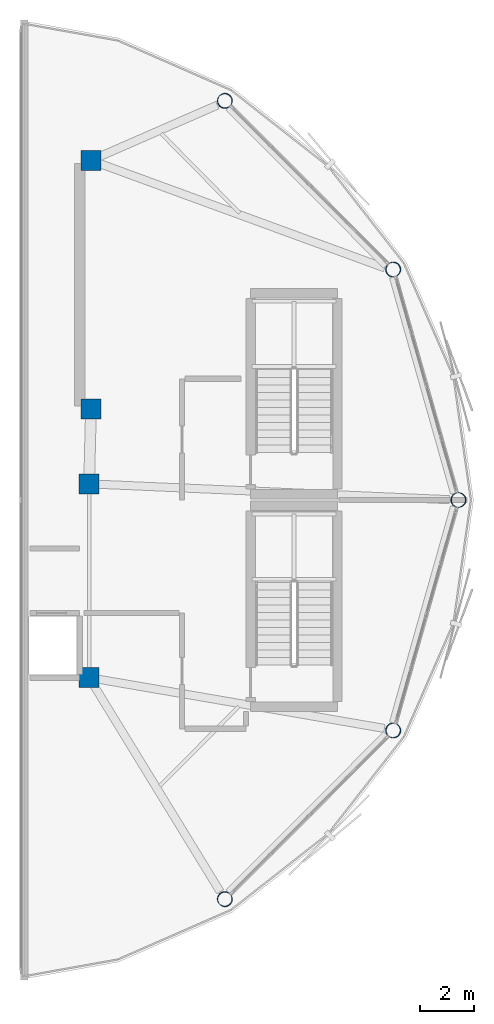
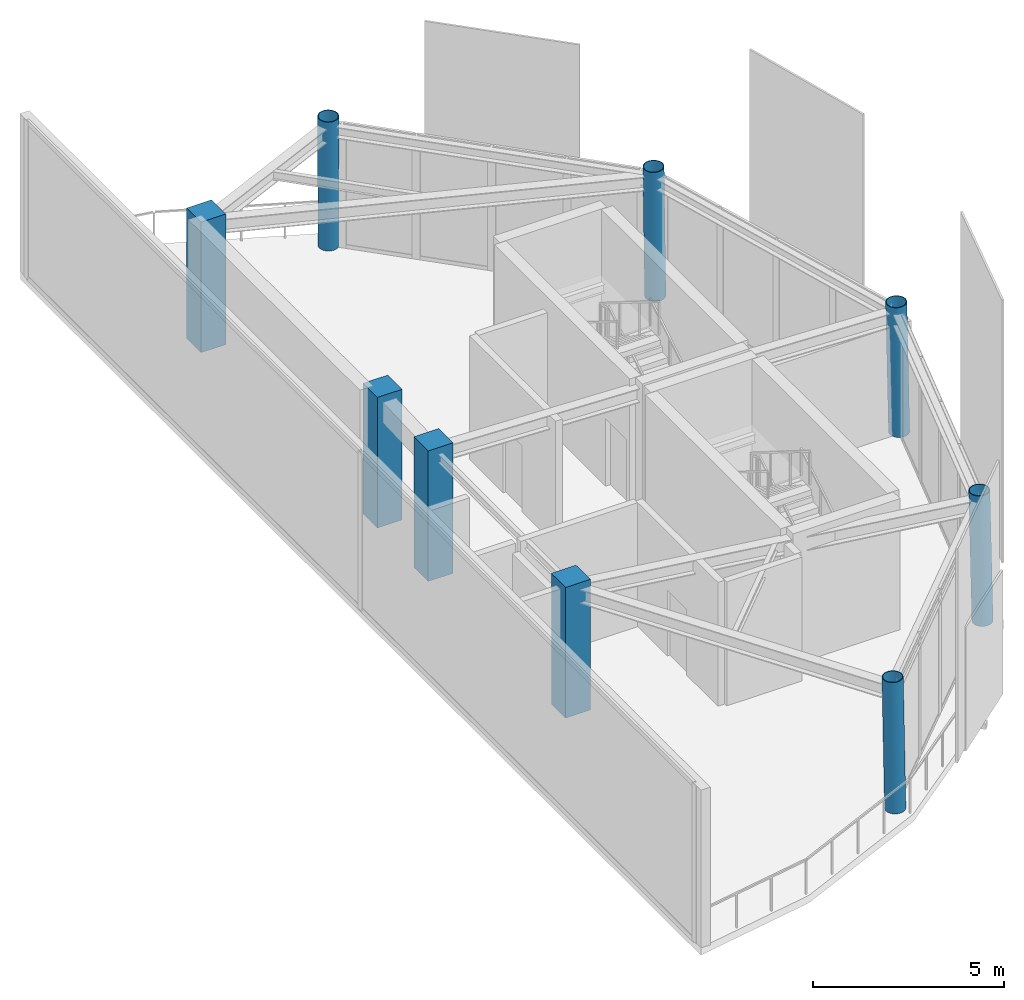
# One storey, part 1 of 13: 9 columns.
"""IFC4 building model written with IfcOpenShell, lengths in metres."""

import ifcopenshell
import ifcopenshell.guid

model = None  # the IFC model being written
_history = None  # IfcOwnerHistory: only IFC2X3 demands one
_inside = {}  # id of a spatial element -> (the spatial element, [elements in it])
_under = {}  # id of a project, library or spatial element -> (it, [spatial elements below it])
_declared = {}  # id of a project -> (the project, [libraries it declares])
_typed = {}  # id of a type object -> (the type object, [elements of that type])
_made_of = {}  # id of a material, layer set ... -> (it, [elements and type objects made of it])


def new_model(schema):
    """Start an empty IFC model of exactly this schema.

    Asked for "IFC4X3", IfcOpenShell would pick the latest addendum, in which some entities
    have other attributes; the version numbers below select the first issue.
    IFC2X3 requires an IfcOwnerHistory on every rooted entity: one is made here for all.
    """
    global model, _history
    if schema == "IFC4X3":
        model = ifcopenshell.file(schema_version=(4, 3, 0, 0))
    else:
        model = ifcopenshell.file(schema=schema)
    _inside.clear()
    _under.clear()
    _declared.clear()
    _typed.clear()
    _made_of.clear()
    _history = None
    if model.schema == "IFC2X3":
        org = make("IfcOrganization", Name="unknown")
        user = make(
            "IfcPersonAndOrganization",
            ThePerson=make("IfcPerson", FamilyName="unknown"),
            TheOrganization=org,
        )
        app = make(
            "IfcApplication",
            ApplicationDeveloper=org,
            Version="unknown",
            ApplicationFullName="unknown",
            ApplicationIdentifier="unknown",
        )
        _history = make(
            "IfcOwnerHistory",
            OwningUser=user,
            OwningApplication=app,
            ChangeAction="ADDED",
            CreationDate=0,
        )
    return model


def make(cls, **values):
    """One entity of the class cls with the attributes given. An attribute that is None is left unset."""
    return model.create_entity(
        cls, **{name: value for name, value in values.items() if value is not None}
    )


def rooted(cls, **values):
    """An entity with a GlobalId (a new one), such as an element, a storey or a relation."""
    return make(cls, GlobalId=ifcopenshell.guid.new(), OwnerHistory=_history, **values)


def si_unit(unit_type, name, prefix=None):
    """IfcSIUnit, for example si_unit("LENGTHUNIT", "METRE", prefix="MILLI")."""
    return make("IfcSIUnit", UnitType=unit_type, Prefix=prefix, Name=name)


def assignment(units):
    """IfcUnitAssignment: the units of a project."""
    return None if units is None else make("IfcUnitAssignment", Units=units)


def point(xyz):
    """IfcCartesianPoint."""
    return None if xyz is None else make("IfcCartesianPoint", Coordinates=xyz)


def direction(xyz):
    """IfcDirection."""
    return None if xyz is None else make("IfcDirection", DirectionRatios=xyz)


def frame(location, z_axis=None, x_axis=None):
    """IfcAxis2Placement3D, a coordinate frame: its origin and axes. An axis left out is left unset."""
    return make(
        "IfcAxis2Placement3D",
        Location=point(location),
        Axis=direction(z_axis),
        RefDirection=direction(x_axis),
    )


def frame_2d(location, x_axis=None):
    """IfcAxis2Placement2D, a coordinate frame in the plane: its origin and x axis."""
    return make(
        "IfcAxis2Placement2D", Location=point(location), RefDirection=direction(x_axis)
    )


def origin():
    """The frame at (0, 0, 0) with its axes left unset."""
    return frame((0.0, 0.0, 0.0))


def origin_2d():
    """The frame at (0, 0) in the plane with its x axis left unset."""
    return frame_2d((0.0, 0.0))


def place(relative_to, where):
    """IfcLocalPlacement: puts the frame where relative to a parent placement (None: the world)."""
    return make(
        "IfcLocalPlacement", PlacementRelTo=relative_to, RelativePlacement=where
    )


def context(
    kind, dimensions, precision=None, world=None, true_north=None, identifier=None
):
    """IfcGeometricRepresentationContext, for example the 3D "Model" context."""
    return make(
        "IfcGeometricRepresentationContext",
        ContextIdentifier=identifier,
        ContextType=kind,
        CoordinateSpaceDimension=dimensions,
        Precision=precision,
        WorldCoordinateSystem=world,
        TrueNorth=true_north,
    )


def subcontext(parent, identifier, kind, view, scale=None):
    """IfcGeometricRepresentationSubContext, for example "Body" below "Model"."""
    return make(
        "IfcGeometricRepresentationSubContext",
        ContextIdentifier=identifier,
        ContextType=kind,
        ParentContext=parent,
        TargetScale=scale,
        TargetView=view,
    )


def project(units=None, contexts=None):
    """IfcProject with its units and contexts."""
    return rooted(
        "IfcProject",
        Name="project",
        RepresentationContexts=contexts,
        UnitsInContext=assignment(units),
    )


def spatial(cls, under=None, at=None, **own):
    """A site, building, storey or space (cls), placed at a placement, below another one or the project."""
    s = rooted(cls, ObjectPlacement=at, **own)
    if under is not None:
        _under.setdefault(under.id(), (under, []))[1].append(s)
    return s


def profile(cls, at=None, kind="AREA", **sizes):
    """A parametric profile (cls). Its sizes go by their IFC names, for example OverallWidth=200.0."""
    return make(cls, ProfileType=kind, Position=at, **sizes)


def rectangle(**sizes):
    """IfcRectangleProfileDef."""
    return profile("IfcRectangleProfileDef", **sizes)


def hollow_circle(**sizes):
    """IfcCircleHollowProfileDef."""
    return profile("IfcCircleHollowProfileDef", **sizes)


def extrude(swept, where, along, depth):
    """IfcExtrudedAreaSolid: the profile swept, set in the frame where, extruded along a direction by depth."""
    return make(
        "IfcExtrudedAreaSolid",
        SweptArea=swept,
        Position=where,
        ExtrudedDirection=direction(along),
        Depth=depth,
    )


def shape(context_of_items, identifier, shape_type, items):
    """IfcShapeRepresentation: the items that make up one representation, for example the "Body"."""
    return make(
        "IfcShapeRepresentation",
        ContextOfItems=context_of_items,
        RepresentationIdentifier=identifier,
        RepresentationType=shape_type,
        Items=items,
    )


def material(Name=None, Category=None):
    """IfcMaterial."""
    return make("IfcMaterial", Name=Name, Category=Category)


def material_profile(
    of_material, cross_section, Name=None, Category=None, Priority=None
):
    """IfcMaterialProfile: a cross section and its material."""
    return make(
        "IfcMaterialProfile",
        Name=Name,
        Material=of_material,
        Profile=cross_section,
        Priority=Priority,
        Category=Category,
    )


def profile_set(profiles, Name=None, composite=None):
    """IfcMaterialProfileSet."""
    return make(
        "IfcMaterialProfileSet",
        Name=Name,
        MaterialProfiles=profiles,
        CompositeProfile=composite,
    )


def made_of(thing, what):
    """Note that an element or type object is made of a material, layer set ...; save() writes the relation."""
    if what is not None:
        _made_of.setdefault(what.id(), (what, []))[1].append(thing)
    return thing


def type_object(cls, material=None, **own):
    """A type object (cls), such as IfcWallType, which elements share."""
    return made_of(rooted(cls, **own), material)


def element(
    cls,
    number,
    at=None,
    inside=None,
    cuts=None,
    type_object=None,
    material=None,
    context=None,
    identifier="Body",
    shape_type=None,
    held_by="IfcProductDefinitionShape",
    body=None,
    shapes=None,
    **own,
):
    """One element of the class cls, such as IfcWall. Its Tag is "e" and its number.

    at: its placement. inside: the storey or other place that contains it. cuts: it is an
    opening in that element (IfcRelVoidsElement). A single representation is given by context,
    identifier, shape_type and body (its items); several are given by shapes. held_by: the class
    of the entity that holds the representations. save() writes the other relations.
    """
    e = rooted(cls, Tag="e%d" % number, ObjectPlacement=at, **own)
    if body is not None:
        shapes = [shape(context, identifier, shape_type, body)]
    if shapes is not None:
        e.Representation = make(held_by, Representations=shapes)
    if inside is not None:
        _inside.setdefault(inside.id(), (inside, []))[1].append(e)
    if cuts is not None:
        rooted(
            "IfcRelVoidsElement", RelatingBuildingElement=cuts, RelatedOpeningElement=e
        )
    if type_object is not None:
        _typed.setdefault(type_object.id(), (type_object, []))[1].append(e)
    return made_of(e, material)


def aggregate(whole, parts):
    """IfcRelAggregates: a whole, such as a stair, and the parts it consists of."""
    return rooted("IfcRelAggregates", RelatingObject=whole, RelatedObjects=parts)


def save(model, path):
    """Write the relations noted so far, then the file.

    IfcRelAggregates (storeys below a building ...), IfcRelContainedInSpatialStructure (elements
    in a storey), IfcRelDefinesByType, IfcRelAssociatesMaterial and IfcRelDeclares: one each for
    every whole, place, type object, material and project.
    """
    for whole, parts in _under.values():
        aggregate(whole, parts)
    for where, things in _inside.values():
        rooted(
            "IfcRelContainedInSpatialStructure",
            RelatedElements=things,
            RelatingStructure=where,
        )
    for kind, things in _typed.values():
        rooted("IfcRelDefinesByType", RelatedObjects=things, RelatingType=kind)
    for what, things in _made_of.values():
        rooted("IfcRelAssociatesMaterial", RelatedObjects=things, RelatingMaterial=what)
    for by, libraries in _declared.values():
        rooted("IfcRelDeclares", RelatingContext=by, RelatedDefinitions=libraries)
    model.write(path)


model = new_model("IFC4")

# Units and contexts
model_context = context("Model", 3, precision=1e-05, world=origin(), true_north=direction((0.0, 1.0)))
body_context = subcontext(model_context, "Body", "Model", "MODEL_VIEW")
ifc_project = project(units=[si_unit("LENGTHUNIT", "METRE"), si_unit("AREAUNIT", "SQUARE_METRE"), si_unit("VOLUMEUNIT", "CUBIC_METRE"), si_unit("PLANEANGLEUNIT", "RADIAN"), si_unit("MASSUNIT", "GRAM", prefix="KILO")], contexts=[model_context])

# Site, building, storey
site_placement = place(None, origin())
site = spatial("IfcSite", under=ifc_project, at=site_placement, CompositionType="ELEMENT")
building_placement = place(site_placement, origin())
building = spatial("IfcBuilding", under=site, at=building_placement, Name="Varnakorn Sky Granary", CompositionType="ELEMENT")
storey_placement = place(building_placement, frame((0.0, 0.0, 315.0)))
storey = spatial("IfcBuildingStorey", under=building, at=storey_placement, Name="L80", CompositionType="ELEMENT", Elevation=315.0)

# Columns
ifc_material_1 = material(Name="Steel S460M", Category="steel")
ifc_material_profile_1 = material_profile(ifc_material_1, hollow_circle(Radius=0.279541015625, WallThickness=0.02001953125, at=origin_2d()), Name="CHS 559x20")
ifc_profile_set_1 = profile_set([ifc_material_profile_1], Name="Steel S460M")
column_type_1 = type_object("IfcColumnType", Name="COL-DC-Z5", PredefinedType="COLUMN", material=ifc_profile_set_1)
column_placement = place(storey_placement, frame((22.0859375, 0.0, 0.0), z_axis=(-0.020579232516, 0.0, 0.99978822517), x_axis=(0.0, -1.0, 0.0)))
element("IfcColumn", 1, at=column_placement, inside=storey, type_object=column_type_1, Name="Drum Perimeter Column DC01 L80", PredefinedType="COLUMN", context=body_context, shape_type="SweptSolid", body=[
    extrude(hollow_circle(Radius=0.279541015625, WallThickness=0.02001953125, at=origin_2d()), origin(), (0.0, 0.0, 1.0), 4.176025390625),
])
for number, where, z_axis, x_axis, name in (
    (2, (19.659912109375, 8.568115234375, 0.0), (-0.017831728695, -0.0085358439, 0.999804565313), (0.431769402569, -0.901984025915, 0.0), "Drum Perimeter Column DC02 L80"),
    (3, (13.400390625, 14.840087890625, 0.0), (-0.010290142565, -0.014675146498, 0.999839363619), (0.818771906714, -0.57411894654, 0.0), "Drum Perimeter Column DC03 L80"),
    (4, (13.400390625, -14.840087890625, 0.0), (-0.010290142565, 0.014675146498, 0.999839363619), (-0.818771906714, -0.57411894654, 0.0), "Drum Perimeter Column DC11 L80"),
    (5, (19.659912109375, -8.568115234375, 0.0), (-0.017831728695, 0.0085358439, 0.999804565313), (-0.431769402569, -0.901984025915, 0.0), "Drum Perimeter Column DC12 L80"),
):
    element("IfcColumn", number, at=place(storey_placement, frame(where, z_axis=z_axis, x_axis=x_axis)), inside=storey, type_object=column_type_1, Name=name, PredefinedType="COLUMN", context=body_context, shape_type="SweptSolid", body=[
        extrude(hollow_circle(Radius=0.279541015625, WallThickness=0.02001953125, at=origin_2d()), origin(), (0.0, 0.0, 1.0), 4.17578125),
    ])
ifc_material_2 = material(Name="Concrete C50/60", Category="concrete")
ifc_material_profile_2 = material_profile(ifc_material_2, rectangle(XDim=0.75, YDim=0.75, at=origin_2d()), Name="RC 750x750")
ifc_profile_set_2 = profile_set([ifc_material_profile_2], Name="Concrete C50/60")
column_type_2 = type_object("IfcColumnType", Name="COL-MC-Z5", PredefinedType="COLUMN", material=ifc_profile_set_2)
for number, where, z_axis, x_axis, name in (
    (6, (8.419921875, 12.6201171875, 0.0), (0.0, 0.0, 1.0), (1.0, 0.0, 0.0), "Backbone Mega-Column MC2 L80"),
    (7, (8.419921875, 3.3798828125, 0.0), (0.0, 0.0, 1.0), (1.0, 0.0, 0.0), "Backbone Mega-Column MC4 L80"),
    (8, (8.35009765625, 0.60009765625, 0.0), (0.0, 0.0, 1.0), (1.0, 0.0, 0.0), "Backbone Mega-Column MC6 L80"),
    (9, (8.35009765625, -6.60009765625, 0.0), (0.0, 0.0, 1.0), (1.0, 0.0, 0.0), "Backbone Mega-Column MC8 L80"),
):
    element("IfcColumn", number, at=place(storey_placement, frame(where, z_axis=z_axis, x_axis=x_axis)), inside=storey, type_object=column_type_2, Name=name, PredefinedType="COLUMN", context=body_context, shape_type="SweptSolid", body=[
        extrude(rectangle(XDim=0.75, YDim=0.75, at=origin_2d()), origin(), (0.0, 0.0, 1.0), 4.175048828125),
    ])

save(model, "model.ifc")
